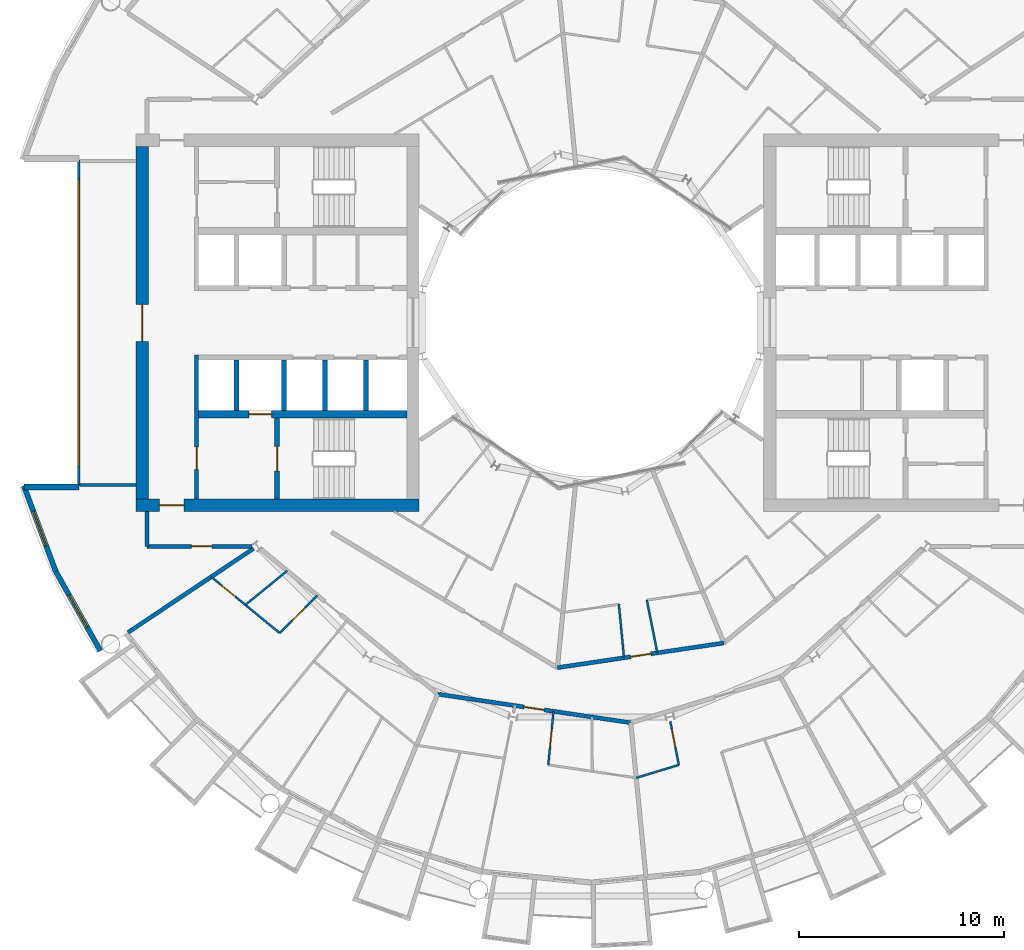
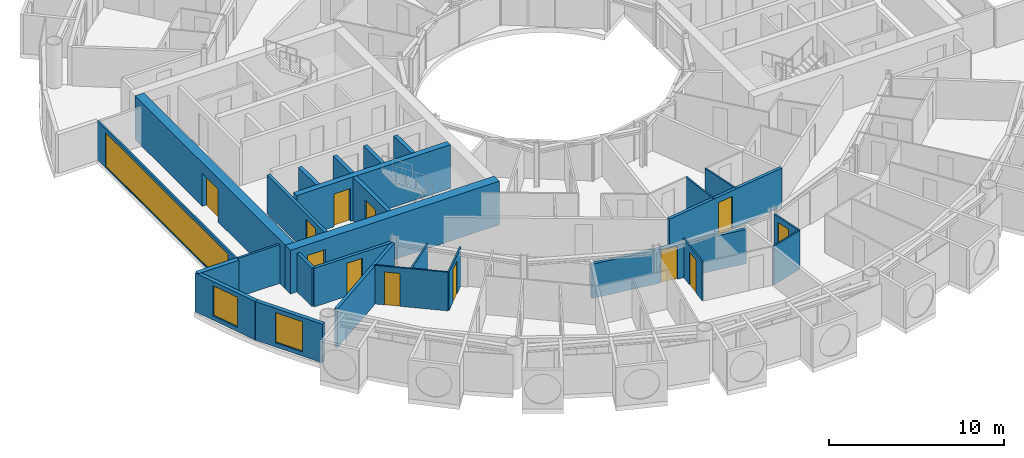
# One storey, part 15 of 28: 27 walls, 12 doors, 3 windows, 15 openings.
"""IFC4 building model written with IfcOpenShell, lengths in metres."""

from ifc_helpers import new_model, si_unit, direction, frame, frame_2d, origin, place, context, subcontext, project, spatial, rectangle, extrude, material, layer, layer_set, type_object, element, fill, save


model = new_model("IFC4")

# Units and contexts
model_context = context("Model", 3, precision=1e-05, world=origin(), true_north=direction((0.0, 1.0)))
body_context = subcontext(model_context, "Body", "Model", "MODEL_VIEW")
ifc_project = project(units=[si_unit("LENGTHUNIT", "METRE"), si_unit("AREAUNIT", "SQUARE_METRE"), si_unit("VOLUMEUNIT", "CUBIC_METRE"), si_unit("PLANEANGLEUNIT", "RADIAN"), si_unit("MASSUNIT", "GRAM", prefix="KILO")], contexts=[model_context])

# Site, building, storey
site_placement = place(None, origin())
site = spatial("IfcSite", under=ifc_project, at=site_placement, CompositionType="ELEMENT")
building_placement = place(site_placement, origin())
building = spatial("IfcBuilding", under=site, at=building_placement, Name="Maasbend Ring Residences", CompositionType="ELEMENT")
storey_placement = place(building_placement, frame((0.0, 0.0, 129.949951171875)))
storey = spatial("IfcBuildingStorey", under=building, at=storey_placement, Name="L37", CompositionType="ELEMENT", Elevation=129.949951171875)

# Wall, opening, door
ifc_material_1 = material(Name="Concrete C60/75", Category="concrete")
ifc_layer_1 = layer(ifc_material_1, 0.25)
ifc_layer_set_1 = layer_set([ifc_layer_1], Name="Concrete C60/75")
wall_type_1 = type_object("IfcWallType", Name="CORE WALL 250 C60/75", PredefinedType="SHEAR", material=ifc_layer_set_1)
wall_1_placement = place(storey_placement, frame((-15.324951171875, -4.64990234375, 0.0), z_axis=(0.0, 0.0, 1.0), x_axis=(0.0, -1.0, 0.0)))
wall_1 = element("IfcWall", 1, at=wall_1_placement, inside=storey, type_object=wall_type_1, Name="L37 core W wall STEN", PredefinedType="SHEAR", context=body_context, shape_type="SweptSolid", body=[
    extrude(rectangle(XDim=3.9501953125, YDim=0.25, at=frame_2d((1.97509765625, 0.0))), origin(), (0.0, 0.0, 1.0), 3.050048828125),
])
opening_1_placement = place(wall_1_placement, frame((1.375, 0.0, 0.0)))
opening_1 = element("IfcOpeningElement", 2, at=opening_1_placement, cuts=wall_1, Name="Opening D-W3710", PredefinedType="OPENING", context=body_context, shape_type="SweptSolid", body=[
    extrude(rectangle(XDim=1.199951171875, YDim=2.300048828125, at=frame_2d((0.60009765625, 1.14990234375))), frame((0.0, 0.135009765625, 0.0), z_axis=(0.0, -1.0, 0.0), x_axis=(1.0, 0.0, 0.0)), (0.0, 0.0, 1.0), 0.27001953125),
])
ifc_material_2 = material(Name="Steel, powder coated", Category="steel")
door_type_1 = type_object("IfcDoorType", Name="STAIR DOOR 1200 X 2300 FD60", OperationType="NOTDEFINED", PredefinedType="DOOR", material=ifc_material_2)
door_1_placement = place(opening_1_placement, origin())
door_1 = element("IfcDoor", 3, at=door_1_placement, inside=storey, type_object=door_type_1, Name="Stair door ST-W L37", OperationType="SINGLE_SWING_LEFT", OverallHeight=2.300048828125, OverallWidth=1.199951171875, PredefinedType="DOOR", context=body_context, shape_type="SweptSolid", body=[
    extrude(rectangle(XDim=1.199951171875, YDim=2.300048828125, at=frame_2d((0.60009765625, 1.14990234375))), frame((0.0, 0.02490234375, 0.0), z_axis=(0.0, -1.0, 0.0), x_axis=(1.0, 0.0, 0.0)), (0.0, 0.0, 1.0), 0.050048828125),
])
fill(opening_1, door_1)

ifc_material_3 = material(Name="Concrete C60/75", Category="concrete")
ifc_layer_2 = layer(ifc_material_3, 0.375)
ifc_layer_set_2 = layer_set([ifc_layer_2], Name="Concrete C60/75")
wall_type_2 = type_object("IfcWallType", Name="CORE WALL 375 C60/75", PredefinedType="SHEAR", material=ifc_layer_set_2)
wall_2_placement = place(storey_placement, frame((-9.0, -4.46240234375, 0.0), z_axis=(0.0, 0.0, 1.0), x_axis=(-1.0, 0.0, 0.0)))
wall_2 = element("IfcWall", 4, at=wall_2_placement, inside=storey, type_object=wall_type_2, Name="L37 core W wall BN", PredefinedType="SHEAR", context=body_context, shape_type="SweptSolid", body=[
    extrude(rectangle(XDim=10.14990234375, YDim=0.375, at=frame_2d((5.074951171875, 0.0))), origin(), (0.0, 0.0, 1.0), 3.050048828125),
])
opening_2_placement = place(wall_2_placement, frame((6.60009765625, 0.0, 0.0)))
opening_2 = element("IfcOpeningElement", 5, at=opening_2_placement, cuts=wall_2, Name="Opening LD-W3704", PredefinedType="OPENING", context=body_context, shape_type="SweptSolid", body=[
    extrude(rectangle(XDim=1.10009765625, YDim=2.300048828125, at=frame_2d((0.550048828125, 1.14990234375))), frame((0.0, 0.197509765625, 0.0), z_axis=(0.0, -1.0, 0.0), x_axis=(1.0, 0.0, 0.0)), (0.0, 0.0, 1.0), 0.39501953125),
])
ifc_material_4 = material(Name="Stainless steel 316", Category="steel")
door_type_2 = type_object("IfcDoorType", Name="LANDING DOOR 1100 X 2300 FD60", OperationType="DOUBLE_DOOR_SLIDING", PredefinedType="DOOR", material=ifc_material_4)
door_2_placement = place(opening_2_placement, origin())
door_2 = element("IfcDoor", 6, at=door_2_placement, inside=storey, type_object=door_type_2, Name="Landing door FF-W L37", OperationType="DOUBLE_DOOR_SLIDING", OverallHeight=2.300048828125, OverallWidth=1.10009765625, PredefinedType="DOOR", context=body_context, shape_type="SweptSolid", body=[
    extrude(rectangle(XDim=1.10009765625, YDim=2.300048828125, at=frame_2d((0.550048828125, 1.14990234375))), frame((0.0, 0.02490234375, 0.0), z_axis=(0.0, -1.0, 0.0), x_axis=(1.0, 0.0, 0.0)), (0.0, 0.0, 1.0), 0.050048828125),
])
fill(opening_2, door_2)

ifc_material_5 = material(Name="Concrete C60/75", Category="concrete")
ifc_layer_3 = layer(ifc_material_5, 0.60009765625)
ifc_layer_set_3 = layer_set([ifc_layer_3], Name="Concrete C60/75")
wall_type_3 = type_object("IfcWallType", Name="CORE WALL 600 C60/75", PredefinedType="SHEAR", material=ifc_layer_set_3)
wall_3_placement = place(storey_placement, frame((-22.199951171875, -8.89990234375, 0.0), z_axis=(0.0, 0.0, 1.0), x_axis=(1.0, 0.0, 0.0)))
wall_3 = element("IfcWall", 7, at=wall_3_placement, inside=storey, type_object=wall_type_3, Name="L37 core W wall PN", PredefinedType="SHEAR", context=body_context, shape_type="SweptSolid", body=[
    extrude(rectangle(XDim=13.800048828125, YDim=0.60009765625, at=frame_2d((6.89990234375, 0.0))), origin(), (0.0, 0.0, 1.0), 3.050048828125),
])
opening_3_placement = place(wall_3_placement, frame((1.125, 0.0, 0.0)))
opening_3 = element("IfcOpeningElement", 8, at=opening_3_placement, cuts=wall_3, Name="Opening D-W3714", PredefinedType="OPENING", context=body_context, shape_type="SweptSolid", body=[
    extrude(rectangle(XDim=1.199951171875, YDim=2.300048828125, at=frame_2d((0.60009765625, 1.14990234375))), frame((0.0, 0.31005859375, 0.0), z_axis=(0.0, -1.0, 0.0), x_axis=(1.0, 0.0, 0.0)), (0.0, 0.0, 1.0), 0.6201171875),
])
ifc_material_6 = material(Name="Steel, powder coated", Category="steel")
door_type_3 = type_object("IfcDoorType", Name="CORRIDOR DOOR 1200 X 2300 FD30S", OperationType="NOTDEFINED", PredefinedType="DOOR", material=ifc_material_6)
door_3_placement = place(opening_3_placement, origin())
door_3 = element("IfcDoor", 9, at=door_3_placement, inside=storey, type_object=door_type_3, Name="Corridor door L37", OperationType="SINGLE_SWING_RIGHT", OverallHeight=2.300048828125, OverallWidth=1.199951171875, PredefinedType="DOOR", context=body_context, shape_type="SweptSolid", body=[
    extrude(rectangle(XDim=1.199951171875, YDim=2.300048828125, at=frame_2d((0.60009765625, 1.14990234375))), frame((0.0, 0.02490234375, 0.0), z_axis=(0.0, -1.0, 0.0), x_axis=(1.0, 0.0, 0.0)), (0.0, 0.0, 1.0), 0.050048828125),
])
fill(opening_3, door_3)

wall_4_placement = place(storey_placement, frame((-21.89990234375, -8.60009765625, 0.0), z_axis=(0.0, 0.0, 1.0), x_axis=(0.0, 1.0, 0.0)))
wall_4 = element("IfcWall", 10, at=wall_4_placement, inside=storey, type_object=wall_type_3, Name="L37 core W wall POUT", PredefinedType="SHEAR", context=body_context, shape_type="SweptSolid", body=[
    extrude(rectangle(XDim=17.2001953125, YDim=0.60009765625, at=frame_2d((8.60009765625, 0.0))), origin(), (0.0, 0.0, 1.0), 3.050048828125),
])
opening_4_placement = place(wall_4_placement, frame((7.699951171875, 0.0, 0.0)))
opening_4 = element("IfcOpeningElement", 11, at=opening_4_placement, cuts=wall_4, Name="Opening D-W3716", PredefinedType="OPENING", context=body_context, shape_type="SweptSolid", body=[
    extrude(rectangle(XDim=1.800048828125, YDim=2.300048828125, at=frame_2d((0.89990234375, 1.14990234375))), frame((0.0, 0.31005859375, 0.0), z_axis=(0.0, -1.0, 0.0), x_axis=(1.0, 0.0, 0.0)), (0.0, 0.0, 1.0), 0.6201171875),
])
ifc_material_7 = material(Name="Aluminium frame, clear glass", Category="aluminium")
door_type_4 = type_object("IfcDoorType", Name="ENTRANCE DOOR 1800 X 2300 FD60", OperationType="NOTDEFINED", PredefinedType="DOOR", material=ifc_material_7)
door_4_placement = place(opening_4_placement, origin())
door_4 = element("IfcDoor", 12, at=door_4_placement, inside=storey, type_object=door_type_4, Name="Lobby glazed door L37", OperationType="SINGLE_SWING_LEFT", OverallHeight=2.300048828125, OverallWidth=1.800048828125, PredefinedType="DOOR", context=body_context, shape_type="SweptSolid", body=[
    extrude(rectangle(XDim=1.800048828125, YDim=2.300048828125, at=frame_2d((0.89990234375, 1.14990234375))), frame((0.0, 0.02490234375, 0.0), z_axis=(0.0, -1.0, 0.0), x_axis=(1.0, 0.0, 0.0)), (0.0, 0.0, 1.0), 0.050048828125),
])
fill(opening_4, door_4)

ifc_material_8 = material(Name="Concrete C30/37", Category="concrete")
ifc_layer_4 = layer(ifc_material_8, 0.199951171875)
ifc_layer_set_4 = layer_set([ifc_layer_4], Name="Concrete C30/37")
wall_type_4 = type_object("IfcWallType", Name="CORRIDOR WALL 200 CONCRETE", PredefinedType="PARTITIONING", material=ifc_layer_set_4)
wall_5_placement = place(storey_placement, frame((-7.4951171875, -18.111083984375, 0.0), z_axis=(0.0, 0.0, 1.0), x_axis=(0.989215286911, -0.146468823102, 0.0)))
wall_5 = element("IfcWall", 13, at=wall_5_placement, inside=storey, type_object=wall_type_4, Name="U-L37-w012", PredefinedType="PARTITIONING", context=body_context, shape_type="SweptSolid", body=[
    extrude(rectangle(XDim=9.531005859375, YDim=0.199951171875, at=frame_2d((4.765625, 0.0))), origin(), (0.0, 0.0, 1.0), 2.39013671875),
])
opening_5_placement = place(wall_5_placement, frame((4.260009765625, 0.0, 0.0)))
opening_5 = element("IfcOpeningElement", 14, at=opening_5_placement, cuts=wall_5, Name="Opening D-3743", PredefinedType="OPENING", context=body_context, shape_type="SweptSolid", body=[
    extrude(rectangle(XDim=1.0, YDim=2.300048828125, at=frame_2d((0.5, 1.14990234375))), frame((0.0, 0.10986328125, 0.0), z_axis=(0.0, -1.0, 0.0), x_axis=(1.0, 0.0, 0.0)), (0.0, 0.0, 1.0), 0.219970703125),
])
ifc_material_9 = material(Name="Timber, fire-rated, painted", Category="wood")
door_type_5 = type_object("IfcDoorType", Name="FLAT ENTRANCE DOOR 1000 X 2300 FIRE-RATED", OperationType="NOTDEFINED", PredefinedType="DOOR", material=ifc_material_9)
door_5_placement = place(opening_5_placement, origin())
door_5 = element("IfcDoor", 15, at=door_5_placement, inside=storey, type_object=door_type_5, Name="D-3743", OperationType="SINGLE_SWING_LEFT", OverallHeight=2.300048828125, OverallWidth=1.0, PredefinedType="DOOR", context=body_context, shape_type="SweptSolid", body=[
    extrude(rectangle(XDim=1.0, YDim=2.300048828125, at=frame_2d((0.5, 1.14990234375))), frame((0.0, 0.02490234375, 0.0), z_axis=(0.0, -1.0, 0.0), x_axis=(1.0, 0.0, 0.0)), (0.0, 0.0, 1.0), 0.050048828125),
])
fill(opening_5, door_5)

wall_6_placement = place(storey_placement, frame((-1.657958984375, -16.819091796875, 0.0), z_axis=(0.0, 0.0, 1.0), x_axis=(0.989191327347, 0.146630549004, 0.0)))
wall_6 = element("IfcWall", 16, at=wall_6_placement, inside=storey, type_object=wall_type_4, Name="U-L37-w016", PredefinedType="PARTITIONING", context=body_context, shape_type="SweptSolid", body=[
    extrude(rectangle(XDim=8.2119140625, YDim=0.199951171875, at=frame_2d((4.10595703125, 0.0))), origin(), (0.0, 0.0, 1.0), 2.699951171875),
])
opening_6_placement = place(wall_6_placement, frame((3.60693359375, 0.0, 0.0)))
opening_6 = element("IfcOpeningElement", 17, at=opening_6_placement, cuts=wall_6, Name="Opening D-3764", PredefinedType="OPENING", context=body_context, shape_type="SweptSolid", body=[
    extrude(rectangle(XDim=1.0, YDim=2.300048828125, at=frame_2d((0.5, 1.14990234375))), frame((0.0, 0.10986328125, 0.0), z_axis=(0.0, -1.0, 0.0), x_axis=(1.0, 0.0, 0.0)), (0.0, 0.0, 1.0), 0.219970703125),
])
door_6_placement = place(opening_6_placement, origin())
door_6 = element("IfcDoor", 18, at=door_6_placement, inside=storey, type_object=door_type_5, Name="D-3764", OperationType="SINGLE_SWING_RIGHT", OverallHeight=2.300048828125, OverallWidth=1.0, PredefinedType="DOOR", context=body_context, shape_type="SweptSolid", body=[
    extrude(rectangle(XDim=1.0, YDim=2.300048828125, at=frame_2d((0.5, 1.14990234375))), frame((0.0, 0.02490234375, 0.0), z_axis=(0.0, -1.0, 0.0), x_axis=(1.0, 0.0, 0.0)), (0.0, 0.0, 1.0), 0.050048828125),
])
fill(opening_6, door_6)

wall_7_placement = place(storey_placement, frame((-21.675048828125, -10.89990234375, 0.0), z_axis=(0.0, 0.0, 1.0), x_axis=(0.99999670426, -0.002567385634, 0.0)))
wall_7 = element("IfcWall", 19, at=wall_7_placement, inside=storey, type_object=wall_type_4, Name="U-L37-w025", PredefinedType="PARTITIONING", context=body_context, shape_type="SweptSolid", body=[
    extrude(rectangle(XDim=5.135009765625, YDim=0.199951171875, at=frame_2d((2.5673828125, 0.0))), origin(), (0.0, 0.0, 1.0), 2.699951171875),
])
opening_7_placement = place(wall_7_placement, frame((2.1708984375, 0.0, 0.0)))
opening_7 = element("IfcOpeningElement", 20, at=opening_7_placement, cuts=wall_7, Name="Opening D-3771", PredefinedType="OPENING", context=body_context, shape_type="SweptSolid", body=[
    extrude(rectangle(XDim=1.0, YDim=2.300048828125, at=frame_2d((0.5, 1.14990234375))), frame((0.0, 0.10986328125, 0.0), z_axis=(0.0, -1.0, 0.0), x_axis=(1.0, 0.0, 0.0)), (0.0, 0.0, 1.0), 0.219970703125),
])
ifc_material_10 = material(Name="Timber, painted", Category="wood")
door_type_6 = type_object("IfcDoorType", Name="ROOM DOOR 1000 X 2300", OperationType="NOTDEFINED", PredefinedType="DOOR", material=ifc_material_10)
door_7_placement = place(opening_7_placement, origin())
door_7 = element("IfcDoor", 21, at=door_7_placement, inside=storey, type_object=door_type_6, Name="D-3771", OperationType="SINGLE_SWING_RIGHT", OverallHeight=2.300048828125, OverallWidth=1.0, PredefinedType="DOOR", context=body_context, shape_type="SweptSolid", body=[
    extrude(rectangle(XDim=1.0, YDim=2.300048828125, at=frame_2d((0.5, 1.14990234375))), frame((0.0, 0.02490234375, 0.0), z_axis=(0.0, -1.0, 0.0), x_axis=(1.0, 0.0, 0.0)), (0.0, 0.0, 1.0), 0.050048828125),
])
fill(opening_7, door_7)

# Wall
wall_8_placement = place(storey_placement, frame((-21.675048828125, -10.89990234375, 0.0), z_axis=(0.0, 0.0, 1.0), x_axis=(0.0, 1.0, 0.0)))
element("IfcWall", 22, at=wall_8_placement, inside=storey, type_object=wall_type_4, Name="U-L37-w123", PredefinedType="PARTITIONING", context=body_context, shape_type="SweptSolid", body=[
    extrude(rectangle(XDim=1.699951171875, YDim=0.199951171875, at=frame_2d((0.85009765625, 0.0))), origin(), (0.0, 0.0, 1.0), 2.699951171875),
])

# Wall, opening, window
ifc_material_11 = material(Name="Aluminium clad insulated panel", Category="aluminium")
ifc_layer_5 = layer(ifc_material_11, 0.25)
ifc_layer_set_5 = layer_set([ifc_layer_5], Name="EW-HORN")
wall_type_5 = type_object("IfcWallType", Name="EW-HORN", PredefinedType="SOLIDWALL", material=ifc_layer_set_5)
wall_9_placement = place(storey_placement, frame((-27.681884765625, -7.945068359375, 0.0), z_axis=(0.0, 0.0, 1.0), x_axis=(0.349247811493, -0.937030397675, 0.0)))
wall_9 = element("IfcWall", 23, at=wall_9_placement, inside=storey, type_object=wall_type_5, Name="Horn wall 3.1", PredefinedType="SOLIDWALL", context=body_context, shape_type="SweptSolid", body=[
    extrude(rectangle(XDim=4.4521484375, YDim=0.25, at=frame_2d((2.22607421875, 0.0))), origin(), (0.0, 0.0, 1.0), 2.699951171875),
])
opening_8_placement = place(wall_9_placement, frame((1.32666015625, 0.0, 0.300048828125)))
opening_8 = element("IfcOpeningElement", 24, at=opening_8_placement, cuts=wall_9, Name="Opening W-BX", PredefinedType="OPENING", context=body_context, shape_type="SweptSolid", body=[
    extrude(rectangle(XDim=1.800048828125, YDim=2.10009765625, at=frame_2d((0.89990234375, 1.050048828125))), frame((0.0, 0.135009765625, 0.0), z_axis=(0.0, -1.0, 0.0), x_axis=(1.0, 0.0, 0.0)), (0.0, 0.0, 1.0), 0.27001953125),
])
ifc_material_12 = material(Name="Aluminium and clear glass", Category="aluminium")
window_type_1 = type_object("IfcWindowType", Name="W-BX", PartitioningType="DOUBLE_PANEL_VERTICAL", PredefinedType="WINDOW", material=ifc_material_12)
window_1_placement = place(opening_8_placement, origin())
window_1 = element("IfcWindow", 25, at=window_1_placement, inside=storey, type_object=window_type_1, Name="Horn window 3.1", OverallHeight=2.10009765625, OverallWidth=1.800048828125, PartitioningType="SINGLE_PANEL", PredefinedType="WINDOW", context=body_context, shape_type="SweptSolid", body=[
    extrude(rectangle(XDim=1.800048828125, YDim=2.10009765625, at=frame_2d((0.89990234375, 1.050048828125))), frame((0.0, 0.030029296875, 0.0), z_axis=(0.0, -1.0, 0.0), x_axis=(1.0, 0.0, 0.0)), (0.0, 0.0, 1.0), 0.06005859375),
])
fill(opening_8, window_1)

wall_10_placement = place(storey_placement, frame((-26.126953125, -12.116943359375, 0.0), z_axis=(0.0, 0.0, 1.0), x_axis=(0.489696356642, -0.871893042919, 0.0)))
wall_10 = element("IfcWall", 26, at=wall_10_placement, inside=storey, type_object=wall_type_5, Name="Horn wall 3.2", PredefinedType="SOLIDWALL", context=body_context, shape_type="SweptSolid", body=[
    extrude(rectangle(XDim=4.45361328125, YDim=0.25, at=frame_2d((2.226806640625, 0.0))), origin(), (0.0, 0.0, 1.0), 2.699951171875),
])
opening_9_placement = place(wall_10_placement, frame((1.32666015625, 0.0, 0.300048828125)))
opening_9 = element("IfcOpeningElement", 27, at=opening_9_placement, cuts=wall_10, Name="Opening W-BX", PredefinedType="OPENING", context=body_context, shape_type="SweptSolid", body=[
    extrude(rectangle(XDim=1.800048828125, YDim=2.10009765625, at=frame_2d((0.89990234375, 1.050048828125))), frame((0.0, 0.135009765625, 0.0), z_axis=(0.0, -1.0, 0.0), x_axis=(1.0, 0.0, 0.0)), (0.0, 0.0, 1.0), 0.27001953125),
])
window_2_placement = place(opening_9_placement, origin())
window_2 = element("IfcWindow", 28, at=window_2_placement, inside=storey, type_object=window_type_1, Name="Horn window 3.2", OverallHeight=2.10009765625, OverallWidth=1.800048828125, PartitioningType="SINGLE_PANEL", PredefinedType="WINDOW", context=body_context, shape_type="SweptSolid", body=[
    extrude(rectangle(XDim=1.800048828125, YDim=2.10009765625, at=frame_2d((0.89990234375, 1.050048828125))), frame((0.0, 0.030029296875, 0.0), z_axis=(0.0, -1.0, 0.0), x_axis=(1.0, 0.0, 0.0)), (0.0, 0.0, 1.0), 0.06005859375),
])
fill(opening_9, window_2)

# Wall
ifc_material_13 = material(Name="Aluminium clad insulated panel", Category="aluminium")
ifc_layer_6 = layer(ifc_material_13, 0.300048828125)
ifc_layer_set_6 = layer_set([ifc_layer_6], Name="EW-RET")
wall_type_6 = type_object("IfcWallType", Name="EW-RET", PredefinedType="SOLIDWALL", material=ifc_layer_set_6)
wall_11_placement = place(storey_placement, frame((-25.0, -8.0, 0.0), z_axis=(0.0, 0.0, 1.0), x_axis=(-1.0, 0.0, 0.0)))
element("IfcWall", 29, at=wall_11_placement, inside=storey, type_object=wall_type_6, Name="Notch return wall west south", PredefinedType="SOLIDWALL", context=body_context, shape_type="SweptSolid", body=[
    extrude(rectangle(XDim=2.6669921875, YDim=0.300048828125, at=frame_2d((1.33349609375, 0.0))), origin(), (0.0, 0.0, 1.0), 2.699951171875),
])

# Wall, opening, window
ifc_material_14 = material(Name="Aluminium frame and clear glass", Category="aluminium")
ifc_layer_7 = layer(ifc_material_14, 0.1201171875)
ifc_layer_set_7 = layer_set([ifc_layer_7], Name="GLAZED SCREEN WALL 120 EI 60")
wall_type_7 = type_object("IfcWallType", Name="GLAZED SCREEN WALL 120 EI 60", PredefinedType="PARTITIONING", material=ifc_layer_set_7)
wall_12_placement = place(storey_placement, frame((-25.0, 7.949951171875, 0.0), z_axis=(0.0, 0.0, 1.0), x_axis=(0.0, -1.0, 0.0)))
wall_12 = element("IfcWall", 30, at=wall_12_placement, inside=storey, type_object=wall_type_7, Name="L37 core W wall FACE", PredefinedType="PARTITIONING", context=body_context, shape_type="SweptSolid", body=[
    extrude(rectangle(XDim=15.89990234375, YDim=0.1201171875, at=frame_2d((7.949951171875, 0.0))), origin(), (0.0, 0.0, 1.0), 2.699951171875),
])
opening_10_placement = place(wall_12_placement, frame((0.949951171875, 0.0, 0.10009765625)))
opening_10 = element("IfcOpeningElement", 31, at=opening_10_placement, cuts=wall_12, Name="Opening W-W3702", PredefinedType="OPENING", context=body_context, shape_type="SweptSolid", body=[
    extrude(rectangle(XDim=14.0, YDim=2.35009765625, at=frame_2d((7.0, 1.175048828125))), frame((0.0, 0.070068359375, 0.0), z_axis=(0.0, -1.0, 0.0), x_axis=(1.0, 0.0, 0.0)), (0.0, 0.0, 1.0), 0.14013671875),
])
ifc_material_15 = material(Name="Aluminium frame and clear glass", Category="aluminium")
window_type_2 = type_object("IfcWindowType", Name="FIXED WINDOW 14000 X 2350", PartitioningType="SINGLE_PANEL", PredefinedType="WINDOW", material=ifc_material_15)
window_3_placement = place(opening_10_placement, origin())
window_3 = element("IfcWindow", 32, at=window_3_placement, inside=storey, type_object=window_type_2, Name="Lobby window L37", OverallHeight=2.35009765625, OverallWidth=14.0, PartitioningType="SINGLE_PANEL", PredefinedType="WINDOW", context=body_context, shape_type="SweptSolid", body=[
    extrude(rectangle(XDim=14.0, YDim=2.35009765625, at=frame_2d((7.0, 1.175048828125))), frame((0.0, 0.030029296875, 0.0), z_axis=(0.0, -1.0, 0.0), x_axis=(1.0, 0.0, 0.0)), (0.0, 0.0, 1.0), 0.06005859375),
])
fill(opening_10, window_3)

# Wall
ifc_material_16 = material(Name="Gypsum board on steel studs", Category="steel")
ifc_layer_8 = layer(ifc_material_16, 0.10009765625)
ifc_layer_set_8 = layer_set([ifc_layer_8], Name="PARTITION 100 GYPSUM")
wall_type_8 = type_object("IfcWallType", Name="PARTITION 100 GYPSUM", PredefinedType="PARTITIONING", material=ifc_layer_set_8)
wall_13_placement = place(storey_placement, frame((2.179931640625, -22.195068359375, 0.0), z_axis=(0.0, 0.0, 1.0), x_axis=(0.956838221976, 0.290621088303, 0.0)))
element("IfcWall", 33, at=wall_13_placement, inside=storey, type_object=wall_type_8, Name="U-L37-w001", PredefinedType="PARTITIONING", context=body_context, shape_type="SweptSolid", body=[
    extrude(rectangle(XDim=2.175048828125, YDim=0.10009765625, at=frame_2d((1.08740234375, 0.0))), origin(), (0.0, 0.0, 1.0), 2.699951171875),
])

# Wall, opening, door
wall_14_placement = place(storey_placement, frame((-18.5419921875, -12.388916015625, 0.0), z_axis=(0.0, 0.0, 1.0), x_axis=(0.772975913823, -0.634435368379, 0.0)))
wall_14 = element("IfcWall", 34, at=wall_14_placement, inside=storey, type_object=wall_type_8, Name="U-L37-w009", PredefinedType="PARTITIONING", context=body_context, shape_type="SweptSolid", body=[
    extrude(rectangle(XDim=4.315673828125, YDim=0.10009765625, at=frame_2d((2.15771484375, 0.0))), origin(), (0.0, 0.0, 1.0), 2.699951171875),
])
opening_11_placement = place(wall_14_placement, frame((0.62890625, 0.0, 0.0)))
opening_11 = element("IfcOpeningElement", 35, at=opening_11_placement, cuts=wall_14, Name="Opening D-3737", PredefinedType="OPENING", context=body_context, shape_type="SweptSolid", body=[
    extrude(rectangle(XDim=0.89990234375, YDim=2.300048828125, at=frame_2d((0.449951171875, 1.14990234375))), frame((0.0, 0.06005859375, 0.0), z_axis=(0.0, -1.0, 0.0), x_axis=(1.0, 0.0, 0.0)), (0.0, 0.0, 1.0), 0.1201171875),
])
ifc_material_17 = material(Name="Timber, painted", Category="wood")
door_type_7 = type_object("IfcDoorType", Name="INTERNAL DOOR 900 X 2300", OperationType="NOTDEFINED", PredefinedType="DOOR", material=ifc_material_17)
door_8_placement = place(opening_11_placement, origin())
door_8 = element("IfcDoor", 36, at=door_8_placement, inside=storey, type_object=door_type_7, Name="D-3737", OperationType="SINGLE_SWING_LEFT", OverallHeight=2.300048828125, OverallWidth=0.89990234375, PredefinedType="DOOR", context=body_context, shape_type="SweptSolid", body=[
    extrude(rectangle(XDim=0.89990234375, YDim=2.300048828125, at=frame_2d((0.449951171875, 1.14990234375))), frame((0.0, 0.02490234375, 0.0), z_axis=(0.0, -1.0, 0.0), x_axis=(1.0, 0.0, 0.0)), (0.0, 0.0, 1.0), 0.050048828125),
])
fill(opening_11, door_8)

# Wall
wall_15_placement = place(storey_placement, frame((-16.8740234375, -13.758056640625, 0.0), z_axis=(0.0, 0.0, 1.0), x_axis=(0.774979608522, 0.631986239072, 0.0)))
element("IfcWall", 37, at=wall_15_placement, inside=storey, type_object=wall_type_8, Name="U-L37-w034", PredefinedType="PARTITIONING", context=body_context, shape_type="SweptSolid", body=[
    extrude(rectangle(XDim=2.63623046875, YDim=0.10009765625, at=frame_2d((1.318115234375, 0.0))), origin(), (0.0, 0.0, 1.0), 2.699951171875),
])

# Wall, opening, door
wall_16_placement = place(storey_placement, frame((-15.201904296875, -15.131103515625, 0.0), z_axis=(0.0, 0.0, 1.0), x_axis=(0.708796844581, 0.705412668665, 0.0)))
wall_16 = element("IfcWall", 38, at=wall_16_placement, inside=storey, type_object=wall_type_8, Name="U-L37-w036", PredefinedType="PARTITIONING", context=body_context, shape_type="SweptSolid", body=[
    extrude(rectangle(XDim=2.59716796875, YDim=0.10009765625, at=frame_2d((1.298583984375, 0.0))), origin(), (0.0, 0.0, 1.0), 2.699951171875),
])
opening_12_placement = place(wall_16_placement, frame((0.84912109375, 0.0, 0.0)))
opening_12 = element("IfcOpeningElement", 39, at=opening_12_placement, cuts=wall_16, Name="Opening D-3738", PredefinedType="OPENING", context=body_context, shape_type="SweptSolid", body=[
    extrude(rectangle(XDim=0.89990234375, YDim=2.300048828125, at=frame_2d((0.449951171875, 1.14990234375))), frame((0.0, 0.06005859375, 0.0), z_axis=(0.0, -1.0, 0.0), x_axis=(1.0, 0.0, 0.0)), (0.0, 0.0, 1.0), 0.1201171875),
])
door_9_placement = place(opening_12_placement, origin())
door_9 = element("IfcDoor", 40, at=door_9_placement, inside=storey, type_object=door_type_7, Name="D-3738", OperationType="SINGLE_SWING_LEFT", OverallHeight=2.300048828125, OverallWidth=0.89990234375, PredefinedType="DOOR", context=body_context, shape_type="SweptSolid", body=[
    extrude(rectangle(XDim=0.89990234375, YDim=2.300048828125, at=frame_2d((0.449951171875, 1.14990234375))), frame((0.0, 0.02490234375, 0.0), z_axis=(0.0, -1.0, 0.0), x_axis=(1.0, 0.0, 0.0)), (0.0, 0.0, 1.0), 0.050048828125),
])
fill(opening_12, door_9)

wall_17_placement = place(storey_placement, frame((-2.10205078125, -21.556884765625, 0.0), z_axis=(0.0, 0.0, 1.0), x_axis=(0.096922256818, 0.995291955224, 0.0)))
wall_17 = element("IfcWall", 41, at=wall_17_placement, inside=storey, type_object=wall_type_8, Name="U-L37-w058", PredefinedType="PARTITIONING", context=body_context, shape_type="SweptSolid", body=[
    extrude(rectangle(XDim=2.622314453125, YDim=0.10009765625, at=frame_2d((1.31103515625, 0.0))), origin(), (0.0, 0.0, 1.0), 2.699951171875),
])
opening_13_placement = place(wall_17_placement, frame((0.861083984375, 0.0, 0.0)))
opening_13 = element("IfcOpeningElement", 42, at=opening_13_placement, cuts=wall_17, Name="Opening D-3745", PredefinedType="OPENING", context=body_context, shape_type="SweptSolid", body=[
    extrude(rectangle(XDim=0.89990234375, YDim=2.300048828125, at=frame_2d((0.449951171875, 1.14990234375))), frame((0.0, 0.06005859375, 0.0), z_axis=(0.0, -1.0, 0.0), x_axis=(1.0, 0.0, 0.0)), (0.0, 0.0, 1.0), 0.1201171875),
])
door_10_placement = place(opening_13_placement, origin())
door_10 = element("IfcDoor", 43, at=door_10_placement, inside=storey, type_object=door_type_7, Name="D-3745", OperationType="SINGLE_SWING_LEFT", OverallHeight=2.300048828125, OverallWidth=0.89990234375, PredefinedType="DOOR", context=body_context, shape_type="SweptSolid", body=[
    extrude(rectangle(XDim=0.89990234375, YDim=2.300048828125, at=frame_2d((0.449951171875, 1.14990234375))), frame((0.0, 0.02490234375, 0.0), z_axis=(0.0, -1.0, 0.0), x_axis=(1.0, 0.0, 0.0)), (0.0, 0.0, 1.0), 0.050048828125),
])
fill(opening_13, door_10)

# Walls
wall_18_placement = place(storey_placement, frame((1.339111328125, -13.72705078125, 0.0), z_axis=(0.0, 0.0, 1.0), x_axis=(0.096830025237, -0.995300932489, 0.0)))
element("IfcWall", 44, at=wall_18_placement, inside=storey, type_object=wall_type_8, Name="U-L37-w064", PredefinedType="PARTITIONING", context=body_context, shape_type="SweptSolid", body=[
    extrude(rectangle(XDim=2.6220703125, YDim=0.10009765625, at=frame_2d((1.31103515625, 0.0))), origin(), (0.0, 0.0, 1.0), 2.699951171875),
])
wall_19_placement = place(storey_placement, frame((2.7041015625, -13.52392578125, 0.0), z_axis=(0.0, 0.0, 1.0), x_axis=(0.195937128464, -0.980616460034, 0.0)))
element("IfcWall", 45, at=wall_19_placement, inside=storey, type_object=wall_type_8, Name="U-L37-w068", PredefinedType="PARTITIONING", context=body_context, shape_type="SweptSolid", body=[
    extrude(rectangle(XDim=2.622802734375, YDim=0.10009765625, at=frame_2d((1.3115234375, 0.0))), origin(), (0.0, 0.0, 1.0), 2.699951171875),
])

# Wall, opening, door
wall_20_placement = place(storey_placement, frame((3.846923828125, -19.43896484375, 0.0), z_axis=(0.0, 0.0, 1.0), x_axis=(0.194227580483, -0.980956495967, 0.0)))
wall_20 = element("IfcWall", 46, at=wall_20_placement, inside=storey, type_object=wall_type_8, Name="U-L37-w072", PredefinedType="PARTITIONING", context=body_context, shape_type="SweptSolid", body=[
    extrude(rectangle(XDim=2.163330078125, YDim=0.10009765625, at=frame_2d((1.08154296875, 0.0))), origin(), (0.0, 0.0, 1.0), 2.699951171875),
])
opening_14_placement = place(wall_20_placement, frame((0.383056640625, 0.0, 0.0)))
opening_14 = element("IfcOpeningElement", 47, at=opening_14_placement, cuts=wall_20, Name="Opening D-3750", PredefinedType="OPENING", context=body_context, shape_type="SweptSolid", body=[
    extrude(rectangle(XDim=0.89990234375, YDim=2.300048828125, at=frame_2d((0.449951171875, 1.14990234375))), frame((0.0, 0.06005859375, 0.0), z_axis=(0.0, -1.0, 0.0), x_axis=(1.0, 0.0, 0.0)), (0.0, 0.0, 1.0), 0.1201171875),
])
door_11_placement = place(opening_14_placement, origin())
door_11 = element("IfcDoor", 48, at=door_11_placement, inside=storey, type_object=door_type_7, Name="D-3750", OperationType="SINGLE_SWING_LEFT", OverallHeight=2.300048828125, OverallWidth=0.89990234375, PredefinedType="DOOR", context=body_context, shape_type="SweptSolid", body=[
    extrude(rectangle(XDim=0.89990234375, YDim=2.300048828125, at=frame_2d((0.449951171875, 1.14990234375))), frame((0.0, 0.02490234375, 0.0), z_axis=(0.0, -1.0, 0.0), x_axis=(1.0, 0.0, 0.0)), (0.0, 0.0, 1.0), 0.050048828125),
])
fill(opening_14, door_11)

# Walls
ifc_material_18 = material(Name="Gypsum board on steel studs", Category="steel")
ifc_layer_9 = layer(ifc_material_18, 0.14990234375)
ifc_layer_set_9 = layer_set([ifc_layer_9], Name="PARTITION 150 EI 60")
wall_type_9 = type_object("IfcWallType", Name="PARTITION 150 EI 60", PredefinedType="PARTITIONING", material=ifc_layer_set_9)
wall_21_placement = place(storey_placement, frame((-22.199951171875, -7.89990234375, 0.0), z_axis=(0.0, 0.0, 1.0), x_axis=(-1.0, 0.0, 0.0)))
element("IfcWall", 49, at=wall_21_placement, inside=storey, type_object=wall_type_9, Name="L37 core W wall CITN", PredefinedType="PARTITIONING", context=body_context, shape_type="SweptSolid", body=[
    extrude(rectangle(XDim=2.739990234375, YDim=0.14990234375, at=frame_2d((1.3701171875, 0.0))), origin(), (0.0, 0.0, 1.0), 2.699951171875),
])
ifc_material_19 = material(Name="Concrete C30/37", Category="concrete")
ifc_layer_10 = layer(ifc_material_19, 0.199951171875)
ifc_layer_set_10 = layer_set([ifc_layer_10], Name="Concrete C30/37")
wall_type_10 = type_object("IfcWallType", Name="PARTY WALL 200 CONCRETE", PredefinedType="PARTITIONING", material=ifc_layer_set_10)
wall_22_placement = place(storey_placement, frame((-22.594970703125, -15.096923828125, 0.0), z_axis=(0.0, 0.0, 1.0), x_axis=(0.831467903109, 0.555572791, 0.0)))
element("IfcWall", 50, at=wall_22_placement, inside=storey, type_object=wall_type_10, Name="U-L37-w029", PredefinedType="PARTITIONING", context=body_context, shape_type="SweptSolid", body=[
    extrude(rectangle(XDim=7.35791015625, YDim=0.199951171875, at=frame_2d((3.678955078125, 0.0))), origin(), (0.0, 0.0, 1.0), 2.699951171875),
])

# Wall, opening, door
ifc_material_20 = material(Name="Concrete C30/37", Category="concrete")
ifc_layer_11 = layer(ifc_material_20, 0.199951171875)
ifc_layer_set_11 = layer_set([ifc_layer_11], Name="Concrete C30/37")
wall_type_11 = type_object("IfcWallType", Name="SHAFT WALL 200 EI 120", PredefinedType="SOLIDWALL", material=ifc_layer_set_11)
wall_23_placement = place(storey_placement, frame((-19.25, -1.574951171875, 0.0), z_axis=(0.0, 0.0, 1.0), x_axis=(0.0, -1.0, 0.0)))
wall_23 = element("IfcWall", 51, at=wall_23_placement, inside=storey, type_object=wall_type_11, Name="L37 core W wall ENDN", PredefinedType="SOLIDWALL", context=body_context, shape_type="SweptSolid", body=[
    extrude(rectangle(XDim=7.025146484375, YDim=0.199951171875, at=frame_2d((3.5126953125, 0.0))), origin(), (0.0, 0.0, 1.0), 2.699951171875),
])
opening_15_placement = place(wall_23_placement, frame((4.47509765625, 0.0, 0.0)))
opening_15 = element("IfcOpeningElement", 52, at=opening_15_placement, cuts=wall_23, Name="Opening D-W3712", PredefinedType="OPENING", context=body_context, shape_type="SweptSolid", body=[
    extrude(rectangle(XDim=1.10009765625, YDim=2.300048828125, at=frame_2d((0.550048828125, 1.14990234375))), frame((0.0, 0.10986328125, 0.0), z_axis=(0.0, -1.0, 0.0), x_axis=(1.0, 0.0, 0.0)), (0.0, 0.0, 1.0), 0.219970703125),
])
ifc_material_21 = material(Name="Steel, powder coated", Category="steel")
door_type_8 = type_object("IfcDoorType", Name="LOBBY DOOR 1100 X 2300 FD60", OperationType="NOTDEFINED", PredefinedType="DOOR", material=ifc_material_21)
door_12_placement = place(opening_15_placement, origin())
door_12 = element("IfcDoor", 53, at=door_12_placement, inside=storey, type_object=door_type_8, Name="Lobby door L37", OperationType="SINGLE_SWING_LEFT", OverallHeight=2.300048828125, OverallWidth=1.10009765625, PredefinedType="DOOR", context=body_context, shape_type="SweptSolid", body=[
    extrude(rectangle(XDim=1.10009765625, YDim=2.300048828125, at=frame_2d((0.550048828125, 1.14990234375))), frame((0.0, 0.02490234375, 0.0), z_axis=(0.0, -1.0, 0.0), x_axis=(1.0, 0.0, 0.0)), (0.0, 0.0, 1.0), 0.050048828125),
])
fill(opening_15, door_12)

# Walls
ifc_material_22 = material(Name="Concrete C30/37", Category="concrete")
ifc_layer_12 = layer(ifc_material_22, 0.25)
ifc_layer_set_12 = layer_set([ifc_layer_12], Name="Concrete C30/37")
wall_type_12 = type_object("IfcWallType", Name="SHAFT WALL 250 EI 120", PredefinedType="SOLIDWALL", material=ifc_layer_set_12)
for number, where, z_axis, x_axis, name in (
    (54, (-15.0, -1.824951171875, 0.0), (0.0, 0.0, 1.0), (0.0, -1.0, 0.0), "L37 core W wall D150N"),
    (55, (-17.300048828125, -1.824951171875, 0.0), (0.0, 0.0, 1.0), (0.0, -1.0, 0.0), "L37 core W wall D173N"),
    (56, (-11.0, -1.824951171875, 0.0), (0.0, 0.0, 1.0), (0.0, -1.0, 0.0), "L37 core W wall D110N"),
    (57, (-13.0, -1.824951171875, 0.0), (0.0, 0.0, 1.0), (0.0, -1.0, 0.0), "L37 core W wall D130N"),
):
    element("IfcWall", number, at=place(storey_placement, frame(where, z_axis=z_axis, x_axis=x_axis)), inside=storey, type_object=wall_type_12, Name=name, PredefinedType="SOLIDWALL", context=body_context, shape_type="SweptSolid", body=[
        extrude(rectangle(XDim=2.449951171875, YDim=0.25, at=frame_2d((1.22509765625, 0.0))), origin(), (0.0, 0.0, 1.0), 2.699951171875),
    ])

save(model, "model.ifc")
